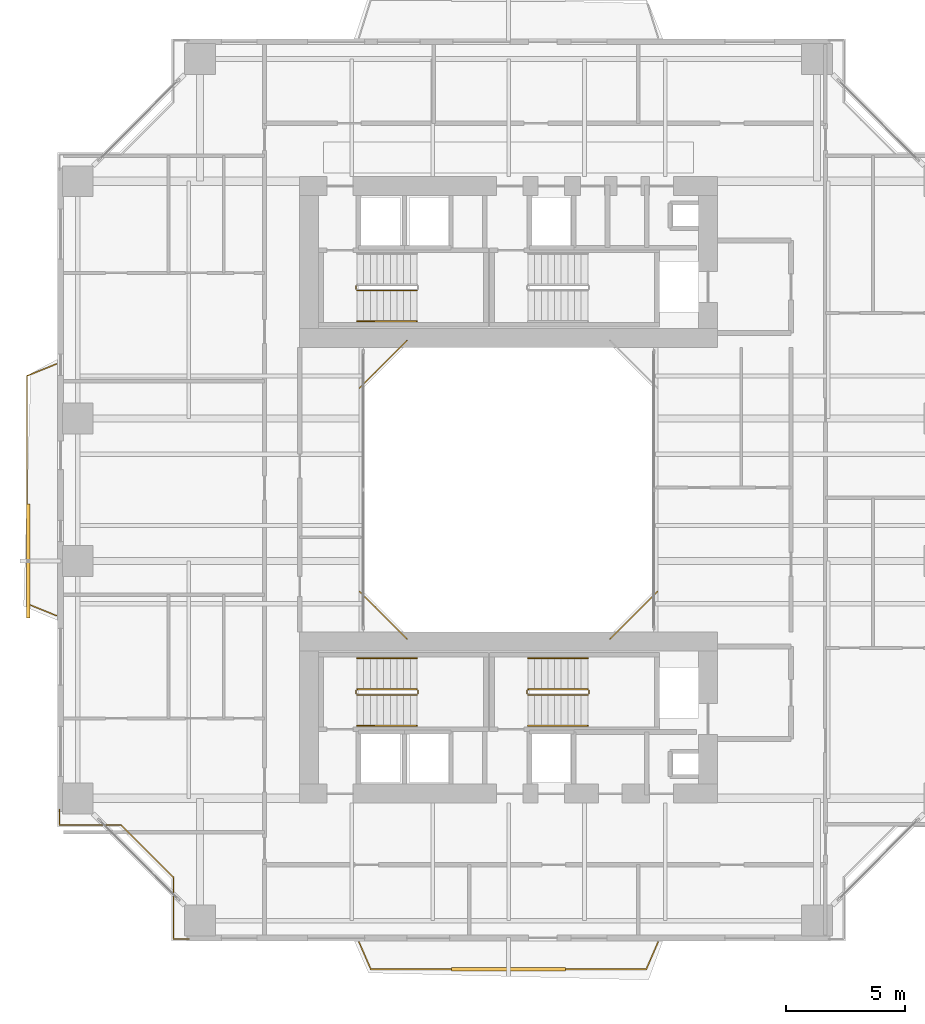
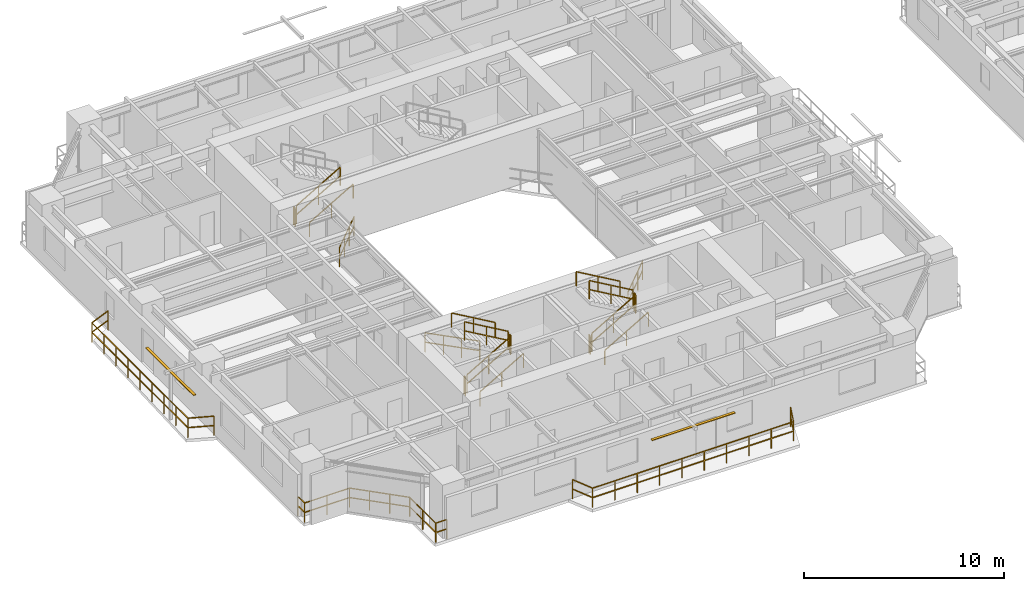
# One storey, part 19 of 23: 21 railings, 2 shading devices.
"""IFC4 building model written with IfcOpenShell, lengths in metres."""

from ifc_helpers import new_model, si_unit, direction, frame, origin, origin_2d, place, context, subcontext, project, spatial, rectangle, extrude, source, transform, mapped, material, material_profile, profile_set, type_object, element, save


model = new_model("IFC4")

# Units and contexts
model_context = context("Model", 3, precision=1e-05, world=origin(), true_north=direction((0.0, 1.0)))
body_context = subcontext(model_context, "Body", "Model", "MODEL_VIEW")
ifc_project = project(units=[si_unit("LENGTHUNIT", "METRE"), si_unit("AREAUNIT", "SQUARE_METRE"), si_unit("VOLUMEUNIT", "CUBIC_METRE"), si_unit("PLANEANGLEUNIT", "RADIAN"), si_unit("MASSUNIT", "GRAM", prefix="KILO"), si_unit("THERMODYNAMICTEMPERATUREUNIT", "KELVIN"), si_unit("POWERUNIT", "WATT")], contexts=[model_context])

# Site, building, storey
site_placement = place(None, origin())
site = spatial("IfcSite", under=ifc_project, at=site_placement, CompositionType="ELEMENT")
building_placement = place(site_placement, origin())
building = spatial("IfcBuilding", under=site, at=building_placement, Name="Qiaomeng Ring Towers", CompositionType="ELEMENT")
storey_placement = place(building_placement, frame((0.0, 0.0, 89.25)))
storey = spatial("IfcBuildingStorey", under=building, at=storey_placement, Name="L25", CompositionType="ELEMENT", Elevation=89.25)

# Railings
ifc_material_1 = material(Name="Low-E pale-green laminated safety glass", Category="glass")
railing_type_1 = type_object("IfcRailingType", Name="ARC-RL-BAL1", PredefinedType="BALUSTRADE", material=ifc_material_1)
railing_1_placement = place(storey_placement, frame((23.280029296875, 16.719970703125, 0.0)))
element("IfcRailing", 1, at=railing_1_placement, inside=storey, type_object=railing_type_1, Name="L25 Balustrade ARC-BAL-WELL1-L25-1", PredefinedType="BALUSTRADE", context=body_context, shape_type="SweptSolid", body=[
    extrude(rectangle(XDim=0.048095703125, YDim=0.048095703125, at=origin_2d()), frame((0.0, 0.0, 1.17578125), z_axis=(0.707106781187, 0.707106781187, 0.0), x_axis=(-0.707106781187, 0.707106781187, 0.0)), (0.0, 0.0, 1.0), 2.828369140625),
    extrude(rectangle(XDim=0.048095703125, YDim=0.048095703125, at=origin_2d()), frame((0.0, 0.0, 0.60009765625), z_axis=(0.707106781187, 0.707106781187, 0.0), x_axis=(-0.707106781187, 0.707106781187, 0.0)), (0.0, 0.0, 1.0), 2.828369140625),
    extrude(rectangle(XDim=0.0419921875, YDim=0.0419921875, at=origin_2d()), origin(), (0.0, 0.0, 1.0), 1.15185546875),
    extrude(rectangle(XDim=0.0419921875, YDim=0.0419921875, at=origin_2d()), frame((0.666748046875, 0.666748046875, 0.0)), (0.0, 0.0, 1.0), 1.15185546875),
    extrude(rectangle(XDim=0.0419921875, YDim=0.0419921875, at=origin_2d()), frame((1.333251953125, 1.333251953125, 0.0)), (0.0, 0.0, 1.0), 1.15185546875),
    extrude(rectangle(XDim=0.0419921875, YDim=0.0419921875, at=origin_2d()), frame((2.0, 2.0, 0.0)), (0.0, 0.0, 1.0), 1.15185546875),
])
railing_2_placement = place(storey_placement, frame((14.719970703125, 29.280029296875, 0.0)))
element("IfcRailing", 2, at=railing_2_placement, inside=storey, type_object=railing_type_1, Name="L25 Balustrade ARC-BAL-WELL1-L25-3", PredefinedType="BALUSTRADE", context=body_context, shape_type="SweptSolid", body=[
    extrude(rectangle(XDim=0.048095703125, YDim=0.048095703125, at=origin_2d()), frame((0.0, 0.0, 1.17578125), z_axis=(-0.707106781187, -0.707106781187, 0.0), x_axis=(0.707106781187, -0.707106781187, 0.0)), (0.0, 0.0, 1.0), 2.828369140625),
    extrude(rectangle(XDim=0.048095703125, YDim=0.048095703125, at=origin_2d()), frame((0.0, 0.0, 0.60009765625), z_axis=(-0.707106781187, -0.707106781187, 0.0), x_axis=(0.707106781187, -0.707106781187, 0.0)), (0.0, 0.0, 1.0), 2.828369140625),
    extrude(rectangle(XDim=0.0419921875, YDim=0.0419921875, at=origin_2d()), origin(), (0.0, 0.0, 1.0), 1.15185546875),
    extrude(rectangle(XDim=0.0419921875, YDim=0.0419921875, at=origin_2d()), frame((-0.666748046875, -0.666748046875, 0.0)), (0.0, 0.0, 1.0), 1.15185546875),
    extrude(rectangle(XDim=0.0419921875, YDim=0.0419921875, at=origin_2d()), frame((-1.333251953125, -1.333251953125, 0.0)), (0.0, 0.0, 1.0), 1.15185546875),
    extrude(rectangle(XDim=0.0419921875, YDim=0.0419921875, at=origin_2d()), frame((-2.0, -2.0, 0.0)), (0.0, 0.0, 1.0), 1.15185546875),
])
railing_3_placement = place(storey_placement, frame((12.719970703125, 18.719970703125, 0.0)))
element("IfcRailing", 3, at=railing_3_placement, inside=storey, type_object=railing_type_1, Name="L25 Balustrade ARC-BAL-WELL1-L25-4", PredefinedType="BALUSTRADE", context=body_context, shape_type="SweptSolid", body=[
    extrude(rectangle(XDim=0.048095703125, YDim=0.048095703125, at=origin_2d()), frame((0.0, 0.0, 1.17578125), z_axis=(0.707106781187, -0.707106781187, 0.0), x_axis=(0.707106781187, 0.707106781187, 0.0)), (0.0, 0.0, 1.0), 2.828369140625),
    extrude(rectangle(XDim=0.048095703125, YDim=0.048095703125, at=origin_2d()), frame((0.0, 0.0, 0.60009765625), z_axis=(0.707106781187, -0.707106781187, 0.0), x_axis=(0.707106781187, 0.707106781187, 0.0)), (0.0, 0.0, 1.0), 2.828369140625),
    extrude(rectangle(XDim=0.0419921875, YDim=0.0419921875, at=origin_2d()), origin(), (0.0, 0.0, 1.0), 1.15185546875),
    extrude(rectangle(XDim=0.0419921875, YDim=0.0419921875, at=origin_2d()), frame((0.666748046875, -0.666748046875, 0.0)), (0.0, 0.0, 1.0), 1.15185546875),
    extrude(rectangle(XDim=0.0419921875, YDim=0.0419921875, at=origin_2d()), frame((1.333251953125, -1.333251953125, 0.0)), (0.0, 0.0, 1.0), 1.15185546875),
    extrude(rectangle(XDim=0.0419921875, YDim=0.0419921875, at=origin_2d()), frame((2.0, -2.0, 0.0)), (0.0, 0.0, 1.0), 1.15185546875),
])
railing_4_placement = place(storey_placement, frame((0.080078125, 9.530029296875, 0.0)))
element("IfcRailing", 4, at=railing_4_placement, inside=storey, type_object=railing_type_1, Name="L25 Balustrade ARC-BAL-NOTCH1-L25-SW", PredefinedType="BALUSTRADE", context=body_context, shape_type="SweptSolid", body=[
    extrude(rectangle(XDim=0.048095703125, YDim=0.048095703125, at=origin_2d()), frame((0.0, 0.0, 1.17578125), z_axis=(0.0, -1.0, 0.0), x_axis=(1.0, 0.0, 0.0)), (0.0, 0.0, 1.0), 0.650146484375),
    extrude(rectangle(XDim=0.048095703125, YDim=0.048095703125, at=origin_2d()), frame((0.0, 0.0, 0.60009765625), z_axis=(0.0, -1.0, 0.0), x_axis=(1.0, 0.0, 0.0)), (0.0, 0.0, 1.0), 0.650146484375),
    extrude(rectangle(XDim=0.048095703125, YDim=0.048095703125, at=origin_2d()), frame((0.0, -0.650146484375, 1.17578125), z_axis=(1.0, 0.0, 0.0), x_axis=(0.0, 1.0, 0.0)), (0.0, 0.0, 1.0), 2.599853515625),
    extrude(rectangle(XDim=0.048095703125, YDim=0.048095703125, at=origin_2d()), frame((0.0, -0.650146484375, 0.60009765625), z_axis=(1.0, 0.0, 0.0), x_axis=(0.0, 1.0, 0.0)), (0.0, 0.0, 1.0), 2.599853515625),
    extrude(rectangle(XDim=0.048095703125, YDim=0.048095703125, at=origin_2d()), frame((2.599853515625, -0.650146484375, 1.17578125), z_axis=(0.707106781187, -0.707106781187, 0.0), x_axis=(0.707106781187, 0.707106781187, 0.0)), (0.0, 0.0, 1.0), 3.111083984375),
    extrude(rectangle(XDim=0.048095703125, YDim=0.048095703125, at=origin_2d()), frame((2.599853515625, -0.650146484375, 0.60009765625), z_axis=(0.707106781187, -0.707106781187, 0.0), x_axis=(0.707106781187, 0.707106781187, 0.0)), (0.0, 0.0, 1.0), 3.111083984375),
    extrude(rectangle(XDim=0.048095703125, YDim=0.048095703125, at=origin_2d()), frame((4.7998046875, -2.85009765625, 1.17578125), z_axis=(0.0, -1.0, 0.0), x_axis=(1.0, 0.0, 0.0)), (0.0, 0.0, 1.0), 2.599853515625),
    extrude(rectangle(XDim=0.048095703125, YDim=0.048095703125, at=origin_2d()), frame((4.7998046875, -2.85009765625, 0.60009765625), z_axis=(0.0, -1.0, 0.0), x_axis=(1.0, 0.0, 0.0)), (0.0, 0.0, 1.0), 2.599853515625),
    extrude(rectangle(XDim=0.048095703125, YDim=0.048095703125, at=origin_2d()), frame((4.7998046875, -5.449951171875, 1.17578125), z_axis=(1.0, 0.0, 0.0), x_axis=(0.0, 1.0, 0.0)), (0.0, 0.0, 1.0), 0.650146484375),
    extrude(rectangle(XDim=0.048095703125, YDim=0.048095703125, at=origin_2d()), frame((4.7998046875, -5.449951171875, 0.60009765625), z_axis=(1.0, 0.0, 0.0), x_axis=(0.0, 1.0, 0.0)), (0.0, 0.0, 1.0), 0.650146484375),
    extrude(rectangle(XDim=0.0419921875, YDim=0.0419921875, at=origin_2d()), origin(), (0.0, 0.0, 1.0), 1.15185546875),
    extrude(rectangle(XDim=0.0419921875, YDim=0.0419921875, at=origin_2d()), frame((0.0, -0.650146484375, 0.0)), (0.0, 0.0, 1.0), 1.15185546875),
    extrude(rectangle(XDim=0.0419921875, YDim=0.0419921875, at=origin_2d()), frame((1.2998046875, -0.650146484375, 0.0)), (0.0, 0.0, 1.0), 1.15185546875),
    extrude(rectangle(XDim=0.0419921875, YDim=0.0419921875, at=origin_2d()), frame((2.599853515625, -0.650146484375, 0.0)), (0.0, 0.0, 1.0), 1.15185546875),
    extrude(rectangle(XDim=0.0419921875, YDim=0.0419921875, at=origin_2d()), frame((3.333251953125, -1.383544921875, 0.0)), (0.0, 0.0, 1.0), 1.15185546875),
    extrude(rectangle(XDim=0.0419921875, YDim=0.0419921875, at=origin_2d()), frame((4.06640625, -2.11669921875, 0.0)), (0.0, 0.0, 1.0), 1.15185546875),
    extrude(rectangle(XDim=0.0419921875, YDim=0.0419921875, at=origin_2d()), frame((4.7998046875, -2.85009765625, 0.0)), (0.0, 0.0, 1.0), 1.15185546875),
    extrude(rectangle(XDim=0.0419921875, YDim=0.0419921875, at=origin_2d()), frame((4.7998046875, -4.14990234375, 0.0)), (0.0, 0.0, 1.0), 1.15185546875),
    extrude(rectangle(XDim=0.0419921875, YDim=0.0419921875, at=origin_2d()), frame((4.7998046875, -5.449951171875, 0.0)), (0.0, 0.0, 1.0), 1.15185546875),
    extrude(rectangle(XDim=0.0419921875, YDim=0.0419921875, at=origin_2d()), frame((5.449951171875, -5.449951171875, 0.0)), (0.0, 0.0, 1.0), 1.15185546875),
])
railing_5_placement = place(storey_placement, frame((12.699951171875, 3.949951171875, 0.0)))
element("IfcRailing", 5, at=railing_5_placement, inside=storey, type_object=railing_type_1, Name="L25 Balustrade ARC-BAL-L25-T1-S", PredefinedType="BALUSTRADE", context=body_context, shape_type="SweptSolid", body=[
    extrude(rectangle(XDim=0.048095703125, YDim=0.048095703125, at=origin_2d()), frame((0.0, 0.0, 1.17578125), z_axis=(0.398754589448, -0.917057673974, 0.0), x_axis=(0.917057673974, 0.398754589448, 0.0)), (0.0, 0.0, 1.0), 1.25390625),
    extrude(rectangle(XDim=0.048095703125, YDim=0.048095703125, at=origin_2d()), frame((0.0, 0.0, 0.60009765625), z_axis=(0.398754589448, -0.917057673974, 0.0), x_axis=(0.917057673974, 0.398754589448, 0.0)), (0.0, 0.0, 1.0), 1.25390625),
    extrude(rectangle(XDim=0.048095703125, YDim=0.048095703125, at=origin_2d()), frame((0.5, -1.14990234375, 1.17578125), z_axis=(1.0, 0.0, 0.0), x_axis=(0.0, 1.0, 0.0)), (0.0, 0.0, 1.0), 11.60009765625),
    extrude(rectangle(XDim=0.048095703125, YDim=0.048095703125, at=origin_2d()), frame((0.5, -1.14990234375, 0.60009765625), z_axis=(1.0, 0.0, 0.0), x_axis=(0.0, 1.0, 0.0)), (0.0, 0.0, 1.0), 11.60009765625),
    extrude(rectangle(XDim=0.048095703125, YDim=0.048095703125, at=origin_2d()), frame((12.10009765625, -1.14990234375, 1.17578125), z_axis=(0.398754589448, 0.917057673974, 0.0), x_axis=(-0.917057673974, 0.398754589448, 0.0)), (0.0, 0.0, 1.0), 1.25390625),
    extrude(rectangle(XDim=0.048095703125, YDim=0.048095703125, at=origin_2d()), frame((12.10009765625, -1.14990234375, 0.60009765625), z_axis=(0.398754589448, 0.917057673974, 0.0), x_axis=(-0.917057673974, 0.398754589448, 0.0)), (0.0, 0.0, 1.0), 1.25390625),
    extrude(rectangle(XDim=0.0419921875, YDim=0.0419921875, at=origin_2d()), origin(), (0.0, 0.0, 1.0), 1.15185546875),
    extrude(rectangle(XDim=0.0419921875, YDim=0.0419921875, at=origin_2d()), frame((0.5, -1.14990234375, 0.0)), (0.0, 0.0, 1.0), 1.15185546875),
    extrude(rectangle(XDim=0.0419921875, YDim=0.0419921875, at=origin_2d()), frame((1.788818359375, -1.14990234375, 0.0)), (0.0, 0.0, 1.0), 1.15185546875),
    extrude(rectangle(XDim=0.0419921875, YDim=0.0419921875, at=origin_2d()), frame((3.077880859375, -1.14990234375, 0.0)), (0.0, 0.0, 1.0), 1.15185546875),
    extrude(rectangle(XDim=0.0419921875, YDim=0.0419921875, at=origin_2d()), frame((4.36669921875, -1.14990234375, 0.0)), (0.0, 0.0, 1.0), 1.15185546875),
    extrude(rectangle(XDim=0.0419921875, YDim=0.0419921875, at=origin_2d()), frame((5.655517578125, -1.14990234375, 0.0)), (0.0, 0.0, 1.0), 1.15185546875),
    extrude(rectangle(XDim=0.0419921875, YDim=0.0419921875, at=origin_2d()), frame((6.944580078125, -1.14990234375, 0.0)), (0.0, 0.0, 1.0), 1.15185546875),
    extrude(rectangle(XDim=0.0419921875, YDim=0.0419921875, at=origin_2d()), frame((8.2333984375, -1.14990234375, 0.0)), (0.0, 0.0, 1.0), 1.15185546875),
    extrude(rectangle(XDim=0.0419921875, YDim=0.0419921875, at=origin_2d()), frame((9.522216796875, -1.14990234375, 0.0)), (0.0, 0.0, 1.0), 1.15185546875),
    extrude(rectangle(XDim=0.0419921875, YDim=0.0419921875, at=origin_2d()), frame((10.811279296875, -1.14990234375, 0.0)), (0.0, 0.0, 1.0), 1.15185546875),
    extrude(rectangle(XDim=0.0419921875, YDim=0.0419921875, at=origin_2d()), frame((12.10009765625, -1.14990234375, 0.0)), (0.0, 0.0, 1.0), 1.15185546875),
    extrude(rectangle(XDim=0.0419921875, YDim=0.0419921875, at=origin_2d()), frame((12.60009765625, 0.0, 0.0)), (0.0, 0.0, 1.0), 1.15185546875),
])
railing_6_placement = place(storey_placement, frame((-0.050048828125, 17.699951171875, 0.0)))
element("IfcRailing", 6, at=railing_6_placement, inside=storey, type_object=railing_type_1, Name="L25 Balustrade ARC-BAL-L25-T1-W", PredefinedType="BALUSTRADE", context=body_context, shape_type="SweptSolid", body=[
    extrude(rectangle(XDim=0.048095703125, YDim=0.048095703125, at=origin_2d()), frame((0.0, 0.0, 1.17578125), z_axis=(-0.926382398109, 0.376584190418, 0.0), x_axis=(-0.376584190418, -0.926382398109, 0.0)), (0.0, 0.0, 1.0), 1.32763671875),
    extrude(rectangle(XDim=0.048095703125, YDim=0.048095703125, at=origin_2d()), frame((0.0, 0.0, 0.60009765625), z_axis=(-0.926382398109, 0.376584190418, 0.0), x_axis=(-0.376584190418, -0.926382398109, 0.0)), (0.0, 0.0, 1.0), 1.32763671875),
    extrude(rectangle(XDim=0.048095703125, YDim=0.048095703125, at=origin_2d()), frame((-1.22998046875, 0.5, 1.17578125), z_axis=(0.0, 1.0, 0.0), x_axis=(-1.0, 0.0, 0.0)), (0.0, 0.0, 1.0), 9.60009765625),
    extrude(rectangle(XDim=0.048095703125, YDim=0.048095703125, at=origin_2d()), frame((-1.22998046875, 0.5, 0.60009765625), z_axis=(0.0, 1.0, 0.0), x_axis=(-1.0, 0.0, 0.0)), (0.0, 0.0, 1.0), 9.60009765625),
    extrude(rectangle(XDim=0.048095703125, YDim=0.048095703125, at=origin_2d()), frame((-1.22998046875, 10.10009765625, 1.17578125), z_axis=(0.926382398109, 0.376584190418, 0.0), x_axis=(-0.376584190418, 0.926382398109, 0.0)), (0.0, 0.0, 1.0), 1.32763671875),
    extrude(rectangle(XDim=0.048095703125, YDim=0.048095703125, at=origin_2d()), frame((-1.22998046875, 10.10009765625, 0.60009765625), z_axis=(0.926382398109, 0.376584190418, 0.0), x_axis=(-0.376584190418, 0.926382398109, 0.0)), (0.0, 0.0, 1.0), 1.32763671875),
    extrude(rectangle(XDim=0.0419921875, YDim=0.0419921875, at=origin_2d()), origin(), (0.0, 0.0, 1.0), 1.15185546875),
    extrude(rectangle(XDim=0.0419921875, YDim=0.0419921875, at=origin_2d()), frame((-1.22998046875, 0.5, 0.0)), (0.0, 0.0, 1.0), 1.15185546875),
    extrude(rectangle(XDim=0.0419921875, YDim=0.0419921875, at=origin_2d()), frame((-1.22998046875, 1.699951171875, 0.0)), (0.0, 0.0, 1.0), 1.15185546875),
    extrude(rectangle(XDim=0.0419921875, YDim=0.0419921875, at=origin_2d()), frame((-1.22998046875, 2.89990234375, 0.0)), (0.0, 0.0, 1.0), 1.15185546875),
    extrude(rectangle(XDim=0.0419921875, YDim=0.0419921875, at=origin_2d()), frame((-1.22998046875, 4.10009765625, 0.0)), (0.0, 0.0, 1.0), 1.15185546875),
    extrude(rectangle(XDim=0.0419921875, YDim=0.0419921875, at=origin_2d()), frame((-1.22998046875, 5.300048828125, 0.0)), (0.0, 0.0, 1.0), 1.15185546875),
    extrude(rectangle(XDim=0.0419921875, YDim=0.0419921875, at=origin_2d()), frame((-1.22998046875, 6.5, 0.0)), (0.0, 0.0, 1.0), 1.15185546875),
    extrude(rectangle(XDim=0.0419921875, YDim=0.0419921875, at=origin_2d()), frame((-1.22998046875, 7.7001953125, 0.0)), (0.0, 0.0, 1.0), 1.15185546875),
    extrude(rectangle(XDim=0.0419921875, YDim=0.0419921875, at=origin_2d()), frame((-1.22998046875, 8.900146484375, 0.0)), (0.0, 0.0, 1.0), 1.15185546875),
    extrude(rectangle(XDim=0.0419921875, YDim=0.0419921875, at=origin_2d()), frame((-1.22998046875, 10.10009765625, 0.0)), (0.0, 0.0, 1.0), 1.15185546875),
    extrude(rectangle(XDim=0.0419921875, YDim=0.0419921875, at=origin_2d()), frame((0.0, 10.60009765625, 0.0)), (0.0, 0.0, 1.0), 1.15185546875),
])
ifc_material_2 = material(Name="Galvanised steel", Category="steel")
railing_type_2 = type_object("IfcRailingType", Name="ARC-RL-GUARD", PredefinedType="GUARDRAIL", material=ifc_material_2)
railing_7_placement = place(storey_placement, frame((12.6201171875, 31.39990234375, 0.16259765625)))
element("IfcRailing", 7, at=railing_7_placement, inside=storey, type_object=railing_type_2, Name="L25 ST1 stair guard 1", PredefinedType="GUARDRAIL", context=body_context, shape_type="SweptSolid", body=[
    extrude(rectangle(XDim=0.048095703125, YDim=0.048095703125, at=origin_2d()), frame((0.0, 0.0, 1.1259765625), z_axis=(0.864892226395, 0.0, 0.501957604506), x_axis=(0.0, 1.0, 0.0)), (0.0, 0.0, 1.0), 2.913330078125),
    extrude(rectangle(XDim=0.048095703125, YDim=0.048095703125, at=origin_2d()), frame((0.0, 0.0, 0.574951171875), z_axis=(0.864892226395, 0.0, 0.501957604506), x_axis=(0.0, 1.0, 0.0)), (0.0, 0.0, 1.0), 2.913330078125),
    extrude(rectangle(XDim=0.0419921875, YDim=0.0419921875, at=origin_2d()), origin(), (0.0, 0.0, 1.0), 1.101806640625),
    extrude(rectangle(XDim=0.0419921875, YDim=0.0419921875, at=origin_2d()), frame((1.259765625, 0.0, 0.731201171875)), (0.0, 0.0, 1.0), 1.101806640625),
    extrude(rectangle(XDim=0.0419921875, YDim=0.0419921875, at=origin_2d()), frame((2.519775390625, 0.0, 1.46240234375)), (0.0, 0.0, 1.0), 1.101806640625),
])
railing_8_placement = place(storey_placement, frame((12.570068359375, 31.449951171875, 0.0)))
element("IfcRailing", 8, at=railing_8_placement, inside=storey, type_object=railing_type_2, Name="L25 ST1 stair guard 4", PredefinedType="GUARDRAIL", context=body_context, shape_type="SweptSolid", body=[
    extrude(rectangle(XDim=0.048095703125, YDim=0.048095703125, at=origin_2d()), frame((0.0, 0.0, 1.1259765625), z_axis=(0.0, 1.0, 0.0), x_axis=(-1.0, 0.0, 0.0)), (0.0, 0.0, 1.0), 0.14013671875),
    extrude(rectangle(XDim=0.048095703125, YDim=0.048095703125, at=origin_2d()), frame((0.0, 0.0, 0.574951171875), z_axis=(0.0, 1.0, 0.0), x_axis=(-1.0, 0.0, 0.0)), (0.0, 0.0, 1.0), 0.14013671875),
    extrude(rectangle(XDim=0.0419921875, YDim=0.0419921875, at=origin_2d()), origin(), (0.0, 0.0, 1.0), 1.101806640625),
    extrude(rectangle(XDim=0.0419921875, YDim=0.0419921875, at=origin_2d()), frame((0.0, 0.14013671875, 0.0)), (0.0, 0.0, 1.0), 1.101806640625),
])
railing_9_placement = place(storey_placement, frame((12.6201171875, 14.360107421875, 0.16259765625)))
element("IfcRailing", 9, at=railing_9_placement, inside=storey, type_object=railing_type_2, Name="L25 ST3 stair guard 1", PredefinedType="GUARDRAIL", context=body_context, shape_type="SweptSolid", body=[
    extrude(rectangle(XDim=0.048095703125, YDim=0.048095703125, at=origin_2d()), frame((0.0, 0.0, 1.1259765625), z_axis=(0.864892226395, 0.0, 0.501957604506), x_axis=(0.0, 1.0, 0.0)), (0.0, 0.0, 1.0), 2.913330078125),
    extrude(rectangle(XDim=0.048095703125, YDim=0.048095703125, at=origin_2d()), frame((0.0, 0.0, 0.574951171875), z_axis=(0.864892226395, 0.0, 0.501957604506), x_axis=(0.0, 1.0, 0.0)), (0.0, 0.0, 1.0), 2.913330078125),
    extrude(rectangle(XDim=0.0419921875, YDim=0.0419921875, at=origin_2d()), origin(), (0.0, 0.0, 1.0), 1.101806640625),
    extrude(rectangle(XDim=0.0419921875, YDim=0.0419921875, at=origin_2d()), frame((1.259765625, 0.0, 0.731201171875)), (0.0, 0.0, 1.0), 1.101806640625),
    extrude(rectangle(XDim=0.0419921875, YDim=0.0419921875, at=origin_2d()), frame((2.519775390625, 0.0, 1.46240234375)), (0.0, 0.0, 1.0), 1.101806640625),
])
railing_10_placement = place(storey_placement, frame((15.18994140625, 14.409912109375, 1.625)))
element("IfcRailing", 10, at=railing_10_placement, inside=storey, type_object=railing_type_2, Name="L25 ST3 stair guard 2", PredefinedType="GUARDRAIL", context=body_context, shape_type="SweptSolid", body=[
    extrude(rectangle(XDim=0.048095703125, YDim=0.048095703125, at=origin_2d()), frame((0.0, 0.0, 1.1259765625), z_axis=(0.0, 1.0, 0.0), x_axis=(-1.0, 0.0, 0.0)), (0.0, 0.0, 1.0), 0.14013671875),
    extrude(rectangle(XDim=0.048095703125, YDim=0.048095703125, at=origin_2d()), frame((0.0, 0.0, 0.574951171875), z_axis=(0.0, 1.0, 0.0), x_axis=(-1.0, 0.0, 0.0)), (0.0, 0.0, 1.0), 0.14013671875),
    extrude(rectangle(XDim=0.0419921875, YDim=0.0419921875, at=origin_2d()), origin(), (0.0, 0.0, 1.0), 1.101806640625),
    extrude(rectangle(XDim=0.0419921875, YDim=0.0419921875, at=origin_2d()), frame((0.0, 0.14013671875, 0.0)), (0.0, 0.0, 1.0), 1.101806640625),
])
railing_11_placement = place(storey_placement, frame((15.139892578125, 14.60009765625, 1.78759765625)))
element("IfcRailing", 11, at=railing_11_placement, inside=storey, type_object=railing_type_2, Name="L25 ST3 stair guard 3", PredefinedType="GUARDRAIL", context=body_context, shape_type="SweptSolid", body=[
    extrude(rectangle(XDim=0.048095703125, YDim=0.048095703125, at=origin_2d()), frame((0.0, 0.0, 1.1259765625), z_axis=(-0.864892226395, 0.0, 0.501957604506), x_axis=(0.0, -1.0, 0.0)), (0.0, 0.0, 1.0), 2.913330078125),
    extrude(rectangle(XDim=0.048095703125, YDim=0.048095703125, at=origin_2d()), frame((0.0, 0.0, 0.574951171875), z_axis=(-0.864892226395, 0.0, 0.501957604506), x_axis=(0.0, -1.0, 0.0)), (0.0, 0.0, 1.0), 2.913330078125),
    extrude(rectangle(XDim=0.0419921875, YDim=0.0419921875, at=origin_2d()), origin(), (0.0, 0.0, 1.0), 1.101806640625),
    extrude(rectangle(XDim=0.0419921875, YDim=0.0419921875, at=origin_2d()), frame((-1.259765625, 0.0, 0.731201171875)), (0.0, 0.0, 1.0), 1.101806640625),
    extrude(rectangle(XDim=0.0419921875, YDim=0.0419921875, at=origin_2d()), frame((-2.519775390625, 0.0, 1.46240234375)), (0.0, 0.0, 1.0), 1.101806640625),
])
railing_12_placement = place(storey_placement, frame((12.570068359375, 14.409912109375, 0.0)))
element("IfcRailing", 12, at=railing_12_placement, inside=storey, type_object=railing_type_2, Name="L25 ST3 stair guard 4", PredefinedType="GUARDRAIL", context=body_context, shape_type="SweptSolid", body=[
    extrude(rectangle(XDim=0.048095703125, YDim=0.048095703125, at=origin_2d()), frame((0.0, 0.0, 1.1259765625), z_axis=(0.0, 1.0, 0.0), x_axis=(-1.0, 0.0, 0.0)), (0.0, 0.0, 1.0), 0.14013671875),
    extrude(rectangle(XDim=0.048095703125, YDim=0.048095703125, at=origin_2d()), frame((0.0, 0.0, 0.574951171875), z_axis=(0.0, 1.0, 0.0), x_axis=(-1.0, 0.0, 0.0)), (0.0, 0.0, 1.0), 0.14013671875),
    extrude(rectangle(XDim=0.0419921875, YDim=0.0419921875, at=origin_2d()), origin(), (0.0, 0.0, 1.0), 1.101806640625),
    extrude(rectangle(XDim=0.0419921875, YDim=0.0419921875, at=origin_2d()), frame((0.0, 0.14013671875, 0.0)), (0.0, 0.0, 1.0), 1.101806640625),
])
railing_13_placement = place(storey_placement, frame((19.820068359375, 14.360107421875, 0.16259765625)))
element("IfcRailing", 13, at=railing_13_placement, inside=storey, type_object=railing_type_2, Name="L25 ST4 stair guard 1", PredefinedType="GUARDRAIL", context=body_context, shape_type="SweptSolid", body=[
    extrude(rectangle(XDim=0.048095703125, YDim=0.048095703125, at=origin_2d()), frame((0.0, 0.0, 1.1259765625), z_axis=(0.864913338283, 0.0, 0.50192122615), x_axis=(0.0, 1.0, 0.0)), (0.0, 0.0, 1.0), 2.91357421875),
    extrude(rectangle(XDim=0.048095703125, YDim=0.048095703125, at=origin_2d()), frame((0.0, 0.0, 0.574951171875), z_axis=(0.864913338283, 0.0, 0.50192122615), x_axis=(0.0, 1.0, 0.0)), (0.0, 0.0, 1.0), 2.91357421875),
    extrude(rectangle(XDim=0.0419921875, YDim=0.0419921875, at=origin_2d()), origin(), (0.0, 0.0, 1.0), 1.101806640625),
    extrude(rectangle(XDim=0.0419921875, YDim=0.0419921875, at=origin_2d()), frame((1.260009765625, 0.0, 0.731201171875)), (0.0, 0.0, 1.0), 1.101806640625),
    extrude(rectangle(XDim=0.0419921875, YDim=0.0419921875, at=origin_2d()), frame((2.52001953125, 0.0, 1.46240234375)), (0.0, 0.0, 1.0), 1.101806640625),
])
railing_14_placement = place(storey_placement, frame((22.389892578125, 14.409912109375, 1.625)))
element("IfcRailing", 14, at=railing_14_placement, inside=storey, type_object=railing_type_2, Name="L25 ST4 stair guard 2", PredefinedType="GUARDRAIL", context=body_context, shape_type="SweptSolid", body=[
    extrude(rectangle(XDim=0.048095703125, YDim=0.048095703125, at=origin_2d()), frame((0.0, 0.0, 1.1259765625), z_axis=(0.0, 1.0, 0.0), x_axis=(-1.0, 0.0, 0.0)), (0.0, 0.0, 1.0), 0.14013671875),
    extrude(rectangle(XDim=0.048095703125, YDim=0.048095703125, at=origin_2d()), frame((0.0, 0.0, 0.574951171875), z_axis=(0.0, 1.0, 0.0), x_axis=(-1.0, 0.0, 0.0)), (0.0, 0.0, 1.0), 0.14013671875),
    extrude(rectangle(XDim=0.0419921875, YDim=0.0419921875, at=origin_2d()), origin(), (0.0, 0.0, 1.0), 1.101806640625),
    extrude(rectangle(XDim=0.0419921875, YDim=0.0419921875, at=origin_2d()), frame((0.0, 0.14013671875, 0.0)), (0.0, 0.0, 1.0), 1.101806640625),
])
railing_15_placement = place(storey_placement, frame((22.340087890625, 14.60009765625, 1.78759765625)))
element("IfcRailing", 15, at=railing_15_placement, inside=storey, type_object=railing_type_2, Name="L25 ST4 stair guard 3", PredefinedType="GUARDRAIL", context=body_context, shape_type="SweptSolid", body=[
    extrude(rectangle(XDim=0.048095703125, YDim=0.048095703125, at=origin_2d()), frame((0.0, 0.0, 1.1259765625), z_axis=(-0.864913338283, 0.0, 0.50192122615), x_axis=(0.0, -1.0, 0.0)), (0.0, 0.0, 1.0), 2.91357421875),
    extrude(rectangle(XDim=0.048095703125, YDim=0.048095703125, at=origin_2d()), frame((0.0, 0.0, 0.574951171875), z_axis=(-0.864913338283, 0.0, 0.50192122615), x_axis=(0.0, -1.0, 0.0)), (0.0, 0.0, 1.0), 2.91357421875),
    extrude(rectangle(XDim=0.0419921875, YDim=0.0419921875, at=origin_2d()), origin(), (0.0, 0.0, 1.0), 1.101806640625),
    extrude(rectangle(XDim=0.0419921875, YDim=0.0419921875, at=origin_2d()), frame((-1.260009765625, 0.0, 0.731201171875)), (0.0, 0.0, 1.0), 1.101806640625),
    extrude(rectangle(XDim=0.0419921875, YDim=0.0419921875, at=origin_2d()), frame((-2.52001953125, 0.0, 1.46240234375)), (0.0, 0.0, 1.0), 1.101806640625),
])
railing_16_placement = place(storey_placement, frame((19.77001953125, 14.409912109375, 0.0)))
element("IfcRailing", 16, at=railing_16_placement, inside=storey, type_object=railing_type_2, Name="L25 ST4 stair guard 4", PredefinedType="GUARDRAIL", context=body_context, shape_type="SweptSolid", body=[
    extrude(rectangle(XDim=0.048095703125, YDim=0.048095703125, at=origin_2d()), frame((0.0, 0.0, 1.1259765625), z_axis=(0.0, 1.0, 0.0), x_axis=(-1.0, 0.0, 0.0)), (0.0, 0.0, 1.0), 0.14013671875),
    extrude(rectangle(XDim=0.048095703125, YDim=0.048095703125, at=origin_2d()), frame((0.0, 0.0, 0.574951171875), z_axis=(0.0, 1.0, 0.0), x_axis=(-1.0, 0.0, 0.0)), (0.0, 0.0, 1.0), 0.14013671875),
    extrude(rectangle(XDim=0.0419921875, YDim=0.0419921875, at=origin_2d()), origin(), (0.0, 0.0, 1.0), 1.101806640625),
    extrude(rectangle(XDim=0.0419921875, YDim=0.0419921875, at=origin_2d()), frame((0.0, 0.14013671875, 0.0)), (0.0, 0.0, 1.0), 1.101806640625),
])
ifc_material_3 = material(Name="Stainless steel 316", Category="steel")
railing_type_3 = type_object("IfcRailingType", Name="ARC-RL-HAND", PredefinedType="HANDRAIL", material=ifc_material_3)
for number, where, name in (
    (17, (12.6201171875, 30.10009765625, 0.16259765625), "L25 ST1 stair handrail 1"),
    (18, (12.6201171875, 13.06005859375, 0.16259765625), "L25 ST3 stair handrail 1"),
):
    element("IfcRailing", number, at=place(storey_placement, frame(where)), inside=storey, type_object=railing_type_3, Name=name, PredefinedType="HANDRAIL", context=body_context, shape_type="SweptSolid", body=[
        extrude(rectangle(XDim=0.048095703125, YDim=0.048095703125, at=origin_2d()), frame((0.0, 0.0, 0.8759765625), z_axis=(0.864892226395, 0.0, 0.501957604506), x_axis=(0.0, 1.0, 0.0)), (0.0, 0.0, 1.0), 2.913330078125),
        extrude(rectangle(XDim=0.0419921875, YDim=0.0419921875, at=origin_2d()), origin(), (0.0, 0.0, 1.0), 0.851806640625),
        extrude(rectangle(XDim=0.0419921875, YDim=0.0419921875, at=origin_2d()), frame((1.259765625, 0.0, 0.731201171875)), (0.0, 0.0, 1.0), 0.851806640625),
        extrude(rectangle(XDim=0.0419921875, YDim=0.0419921875, at=origin_2d()), frame((2.519775390625, 0.0, 1.46240234375)), (0.0, 0.0, 1.0), 0.851806640625),
    ])
railing_17_placement = place(storey_placement, frame((15.139892578125, 15.89990234375, 1.78759765625)))
element("IfcRailing", 19, at=railing_17_placement, inside=storey, type_object=railing_type_3, Name="L25 ST3 stair handrail 2", PredefinedType="HANDRAIL", context=body_context, shape_type="SweptSolid", body=[
    extrude(rectangle(XDim=0.048095703125, YDim=0.048095703125, at=origin_2d()), frame((0.0, 0.0, 0.8759765625), z_axis=(-0.864892226395, 0.0, 0.501957604506), x_axis=(0.0, -1.0, 0.0)), (0.0, 0.0, 1.0), 2.913330078125),
    extrude(rectangle(XDim=0.0419921875, YDim=0.0419921875, at=origin_2d()), origin(), (0.0, 0.0, 1.0), 0.851806640625),
    extrude(rectangle(XDim=0.0419921875, YDim=0.0419921875, at=origin_2d()), frame((-1.259765625, 0.0, 0.731201171875)), (0.0, 0.0, 1.0), 0.851806640625),
    extrude(rectangle(XDim=0.0419921875, YDim=0.0419921875, at=origin_2d()), frame((-2.519775390625, 0.0, 1.46240234375)), (0.0, 0.0, 1.0), 0.851806640625),
])
railing_18_placement = place(storey_placement, frame((19.820068359375, 13.06005859375, 0.16259765625)))
element("IfcRailing", 20, at=railing_18_placement, inside=storey, type_object=railing_type_3, Name="L25 ST4 stair handrail 1", PredefinedType="HANDRAIL", context=body_context, shape_type="SweptSolid", body=[
    extrude(rectangle(XDim=0.048095703125, YDim=0.048095703125, at=origin_2d()), frame((0.0, 0.0, 0.8759765625), z_axis=(0.864913338283, 0.0, 0.50192122615), x_axis=(0.0, 1.0, 0.0)), (0.0, 0.0, 1.0), 2.91357421875),
    extrude(rectangle(XDim=0.0419921875, YDim=0.0419921875, at=origin_2d()), origin(), (0.0, 0.0, 1.0), 0.851806640625),
    extrude(rectangle(XDim=0.0419921875, YDim=0.0419921875, at=origin_2d()), frame((1.260009765625, 0.0, 0.731201171875)), (0.0, 0.0, 1.0), 0.851806640625),
    extrude(rectangle(XDim=0.0419921875, YDim=0.0419921875, at=origin_2d()), frame((2.52001953125, 0.0, 1.46240234375)), (0.0, 0.0, 1.0), 0.851806640625),
])
railing_19_placement = place(storey_placement, frame((22.340087890625, 15.89990234375, 1.78759765625)))
element("IfcRailing", 21, at=railing_19_placement, inside=storey, type_object=railing_type_3, Name="L25 ST4 stair handrail 2", PredefinedType="HANDRAIL", context=body_context, shape_type="SweptSolid", body=[
    extrude(rectangle(XDim=0.048095703125, YDim=0.048095703125, at=origin_2d()), frame((0.0, 0.0, 0.8759765625), z_axis=(-0.864913338283, 0.0, 0.50192122615), x_axis=(0.0, -1.0, 0.0)), (0.0, 0.0, 1.0), 2.91357421875),
    extrude(rectangle(XDim=0.0419921875, YDim=0.0419921875, at=origin_2d()), origin(), (0.0, 0.0, 1.0), 0.851806640625),
    extrude(rectangle(XDim=0.0419921875, YDim=0.0419921875, at=origin_2d()), frame((-1.260009765625, 0.0, 0.731201171875)), (0.0, 0.0, 1.0), 0.851806640625),
    extrude(rectangle(XDim=0.0419921875, YDim=0.0419921875, at=origin_2d()), frame((-2.52001953125, 0.0, 1.46240234375)), (0.0, 0.0, 1.0), 0.851806640625),
])

# Shading devices
ifc_material_4 = material(Name="Fluorocarbon dark-grey aluminium", Category="aluminium")
ifc_material_profile = material_profile(ifc_material_4, rectangle(XDim=0.14990234375, YDim=0.034912109375, at=origin_2d()), Name="LV BLADE 150x35")
ifc_profile_set = profile_set([ifc_material_profile], Name="Fluorocarbon dark-grey aluminium")
shading_device_type = type_object("IfcShadingDeviceType", Name="ARC-SHD-SUN", PredefinedType="AWNING", material=ifc_profile_set)
shared_shape = source(origin(), body_context, "Body", "SweptSolid", [
    extrude(rectangle(XDim=0.14990234375, YDim=0.034912109375, at=origin_2d()), origin(), (0.0, 0.0, 1.0), 4.7998046875),
])
for number, where, z_axis, x_axis, name in (
    (22, (16.60009765625, 2.800048828125, 2.929931640625), (1.0, 0.0, 0.0), (0.0, 1.0, 0.0), "L25 Ventilated Outer-Skin Sunshade S"),
    (23, (-1.22998046875, 17.60009765625, 2.929931640625), (0.0, 1.0, 0.0), (-1.0, 0.0, 0.0), "L25 Ventilated Outer-Skin Sunshade W"),
):
    element("IfcShadingDevice", number, at=place(storey_placement, frame(where, z_axis=z_axis, x_axis=x_axis)), inside=storey, type_object=shading_device_type, Name=name, PredefinedType="AWNING", context=body_context, shape_type="MappedRepresentation", body=[
        mapped(shared_shape, transform((0.0, 0.0, 0.0), x_axis=(1.0, 0.0, 0.0), y_axis=(0.0, 1.0, 0.0), z_axis=(0.0, 0.0, 1.0), scale=1.0)),
    ])

save(model, "model.ifc")
